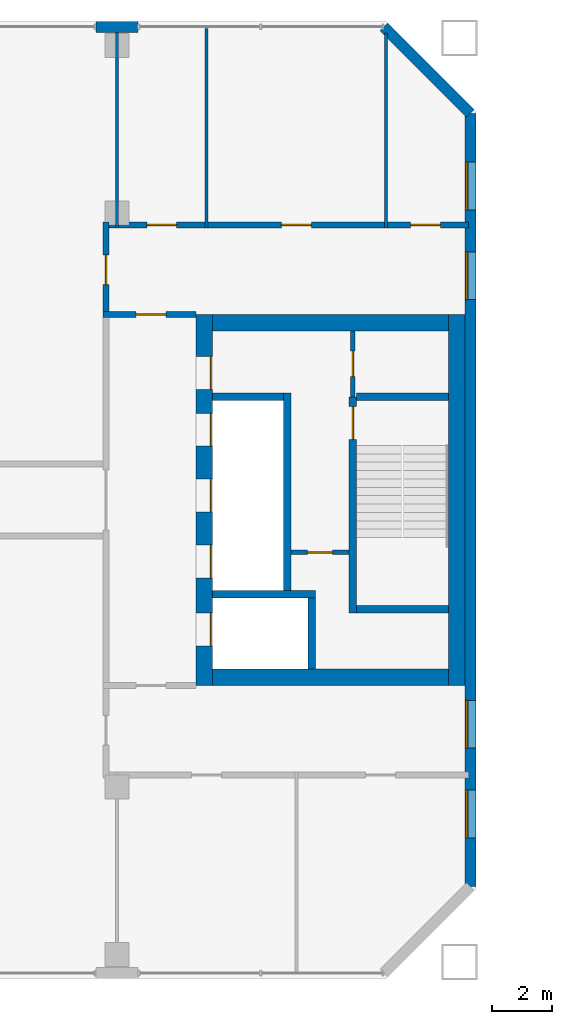
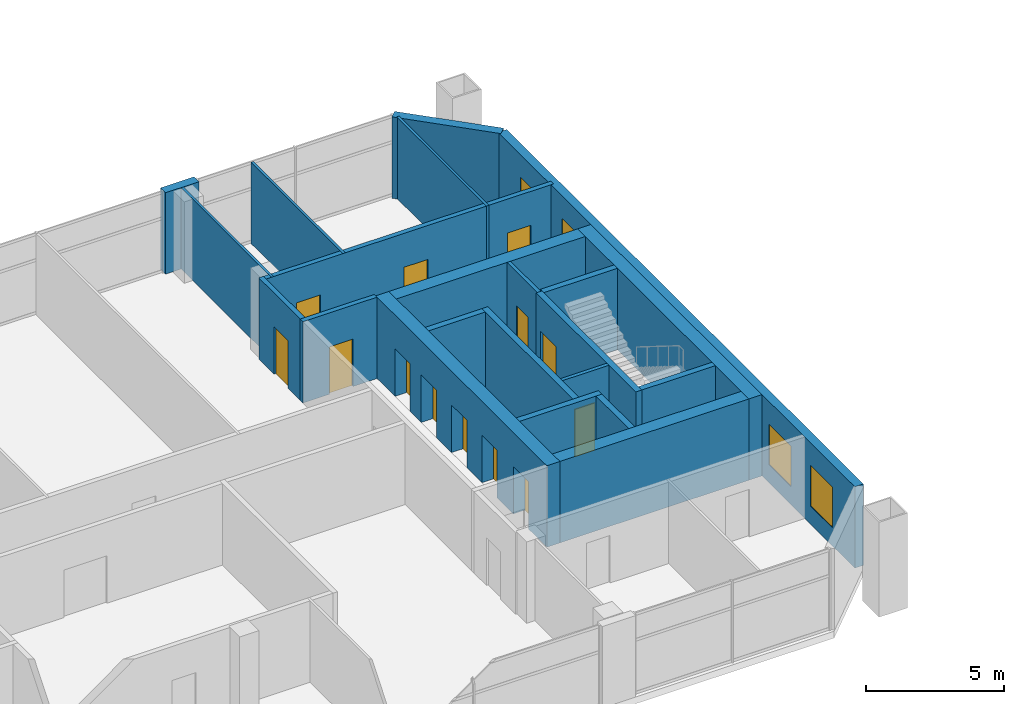
# One storey, part 11 of 17: 22 walls, 13 doors, 4 windows, 17 openings.
"""IFC4 building model written with IfcOpenShell, lengths in metres."""

import ifcopenshell
import ifcopenshell.guid

model = None  # the IFC model being written
_history = None  # IfcOwnerHistory: only IFC2X3 demands one
_inside = {}  # id of a spatial element -> (the spatial element, [elements in it])
_under = {}  # id of a project, library or spatial element -> (it, [spatial elements below it])
_declared = {}  # id of a project -> (the project, [libraries it declares])
_typed = {}  # id of a type object -> (the type object, [elements of that type])
_made_of = {}  # id of a material, layer set ... -> (it, [elements and type objects made of it])


def new_model(schema):
    """Start an empty IFC model of exactly this schema.

    Asked for "IFC4X3", IfcOpenShell would pick the latest addendum, in which some entities
    have other attributes; the version numbers below select the first issue.
    IFC2X3 requires an IfcOwnerHistory on every rooted entity: one is made here for all.
    """
    global model, _history
    if schema == "IFC4X3":
        model = ifcopenshell.file(schema_version=(4, 3, 0, 0))
    else:
        model = ifcopenshell.file(schema=schema)
    _inside.clear()
    _under.clear()
    _declared.clear()
    _typed.clear()
    _made_of.clear()
    _history = None
    if model.schema == "IFC2X3":
        org = make("IfcOrganization", Name="unknown")
        user = make(
            "IfcPersonAndOrganization",
            ThePerson=make("IfcPerson", FamilyName="unknown"),
            TheOrganization=org,
        )
        app = make(
            "IfcApplication",
            ApplicationDeveloper=org,
            Version="unknown",
            ApplicationFullName="unknown",
            ApplicationIdentifier="unknown",
        )
        _history = make(
            "IfcOwnerHistory",
            OwningUser=user,
            OwningApplication=app,
            ChangeAction="ADDED",
            CreationDate=0,
        )
    return model


def make(cls, **values):
    """One entity of the class cls with the attributes given. An attribute that is None is left unset."""
    return model.create_entity(
        cls, **{name: value for name, value in values.items() if value is not None}
    )


def rooted(cls, **values):
    """An entity with a GlobalId (a new one), such as an element, a storey or a relation."""
    return make(cls, GlobalId=ifcopenshell.guid.new(), OwnerHistory=_history, **values)


def si_unit(unit_type, name, prefix=None):
    """IfcSIUnit, for example si_unit("LENGTHUNIT", "METRE", prefix="MILLI")."""
    return make("IfcSIUnit", UnitType=unit_type, Prefix=prefix, Name=name)


def assignment(units):
    """IfcUnitAssignment: the units of a project."""
    return None if units is None else make("IfcUnitAssignment", Units=units)


def point(xyz):
    """IfcCartesianPoint."""
    return None if xyz is None else make("IfcCartesianPoint", Coordinates=xyz)


def direction(xyz):
    """IfcDirection."""
    return None if xyz is None else make("IfcDirection", DirectionRatios=xyz)


def frame(location, z_axis=None, x_axis=None):
    """IfcAxis2Placement3D, a coordinate frame: its origin and axes. An axis left out is left unset."""
    return make(
        "IfcAxis2Placement3D",
        Location=point(location),
        Axis=direction(z_axis),
        RefDirection=direction(x_axis),
    )


def frame_2d(location, x_axis=None):
    """IfcAxis2Placement2D, a coordinate frame in the plane: its origin and x axis."""
    return make(
        "IfcAxis2Placement2D", Location=point(location), RefDirection=direction(x_axis)
    )


def origin():
    """The frame at (0, 0, 0) with its axes left unset."""
    return frame((0.0, 0.0, 0.0))


def place(relative_to, where):
    """IfcLocalPlacement: puts the frame where relative to a parent placement (None: the world)."""
    return make(
        "IfcLocalPlacement", PlacementRelTo=relative_to, RelativePlacement=where
    )


def context(
    kind, dimensions, precision=None, world=None, true_north=None, identifier=None
):
    """IfcGeometricRepresentationContext, for example the 3D "Model" context."""
    return make(
        "IfcGeometricRepresentationContext",
        ContextIdentifier=identifier,
        ContextType=kind,
        CoordinateSpaceDimension=dimensions,
        Precision=precision,
        WorldCoordinateSystem=world,
        TrueNorth=true_north,
    )


def subcontext(parent, identifier, kind, view, scale=None):
    """IfcGeometricRepresentationSubContext, for example "Body" below "Model"."""
    return make(
        "IfcGeometricRepresentationSubContext",
        ContextIdentifier=identifier,
        ContextType=kind,
        ParentContext=parent,
        TargetScale=scale,
        TargetView=view,
    )


def project(units=None, contexts=None):
    """IfcProject with its units and contexts."""
    return rooted(
        "IfcProject",
        Name="project",
        RepresentationContexts=contexts,
        UnitsInContext=assignment(units),
    )


def spatial(cls, under=None, at=None, **own):
    """A site, building, storey or space (cls), placed at a placement, below another one or the project."""
    s = rooted(cls, ObjectPlacement=at, **own)
    if under is not None:
        _under.setdefault(under.id(), (under, []))[1].append(s)
    return s


def profile(cls, at=None, kind="AREA", **sizes):
    """A parametric profile (cls). Its sizes go by their IFC names, for example OverallWidth=200.0."""
    return make(cls, ProfileType=kind, Position=at, **sizes)


def rectangle(**sizes):
    """IfcRectangleProfileDef."""
    return profile("IfcRectangleProfileDef", **sizes)


def extrude(swept, where, along, depth):
    """IfcExtrudedAreaSolid: the profile swept, set in the frame where, extruded along a direction by depth."""
    return make(
        "IfcExtrudedAreaSolid",
        SweptArea=swept,
        Position=where,
        ExtrudedDirection=direction(along),
        Depth=depth,
    )


def shape(context_of_items, identifier, shape_type, items):
    """IfcShapeRepresentation: the items that make up one representation, for example the "Body"."""
    return make(
        "IfcShapeRepresentation",
        ContextOfItems=context_of_items,
        RepresentationIdentifier=identifier,
        RepresentationType=shape_type,
        Items=items,
    )


def material(Name=None, Category=None):
    """IfcMaterial."""
    return make("IfcMaterial", Name=Name, Category=Category)


def layer(
    of_material, thickness, ventilated=None, Name=None, Category=None, Priority=None
):
    """IfcMaterialLayer: one layer of a wall or slab, of a material (None: an air gap)."""
    return make(
        "IfcMaterialLayer",
        Material=of_material,
        LayerThickness=thickness,
        IsVentilated=ventilated,
        Name=Name,
        Category=Category,
        Priority=Priority,
    )


def layer_set(layers, Name=None):
    """IfcMaterialLayerSet."""
    return make("IfcMaterialLayerSet", MaterialLayers=layers, LayerSetName=Name)


def made_of(thing, what):
    """Note that an element or type object is made of a material, layer set ...; save() writes the relation."""
    if what is not None:
        _made_of.setdefault(what.id(), (what, []))[1].append(thing)
    return thing


def type_object(cls, material=None, **own):
    """A type object (cls), such as IfcWallType, which elements share."""
    return made_of(rooted(cls, **own), material)


def element(
    cls,
    number,
    at=None,
    inside=None,
    cuts=None,
    type_object=None,
    material=None,
    context=None,
    identifier="Body",
    shape_type=None,
    held_by="IfcProductDefinitionShape",
    body=None,
    shapes=None,
    **own,
):
    """One element of the class cls, such as IfcWall. Its Tag is "e" and its number.

    at: its placement. inside: the storey or other place that contains it. cuts: it is an
    opening in that element (IfcRelVoidsElement). A single representation is given by context,
    identifier, shape_type and body (its items); several are given by shapes. held_by: the class
    of the entity that holds the representations. save() writes the other relations.
    """
    e = rooted(cls, Tag="e%d" % number, ObjectPlacement=at, **own)
    if body is not None:
        shapes = [shape(context, identifier, shape_type, body)]
    if shapes is not None:
        e.Representation = make(held_by, Representations=shapes)
    if inside is not None:
        _inside.setdefault(inside.id(), (inside, []))[1].append(e)
    if cuts is not None:
        rooted(
            "IfcRelVoidsElement", RelatingBuildingElement=cuts, RelatedOpeningElement=e
        )
    if type_object is not None:
        _typed.setdefault(type_object.id(), (type_object, []))[1].append(e)
    return made_of(e, material)


def fill(opening, filler):
    """IfcRelFillsElement: the door or window that sits in an opening."""
    return rooted(
        "IfcRelFillsElement",
        RelatingOpeningElement=opening,
        RelatedBuildingElement=filler,
    )


def aggregate(whole, parts):
    """IfcRelAggregates: a whole, such as a stair, and the parts it consists of."""
    return rooted("IfcRelAggregates", RelatingObject=whole, RelatedObjects=parts)


def save(model, path):
    """Write the relations noted so far, then the file.

    IfcRelAggregates (storeys below a building ...), IfcRelContainedInSpatialStructure (elements
    in a storey), IfcRelDefinesByType, IfcRelAssociatesMaterial and IfcRelDeclares: one each for
    every whole, place, type object, material and project.
    """
    for whole, parts in _under.values():
        aggregate(whole, parts)
    for where, things in _inside.values():
        rooted(
            "IfcRelContainedInSpatialStructure",
            RelatedElements=things,
            RelatingStructure=where,
        )
    for kind, things in _typed.values():
        rooted("IfcRelDefinesByType", RelatedObjects=things, RelatingType=kind)
    for what, things in _made_of.values():
        rooted("IfcRelAssociatesMaterial", RelatedObjects=things, RelatingMaterial=what)
    for by, libraries in _declared.values():
        rooted("IfcRelDeclares", RelatingContext=by, RelatedDefinitions=libraries)
    model.write(path)


model = new_model("IFC4")

# Units and contexts
model_context = context("Model", 3, precision=1e-05, world=origin(), true_north=direction((0.0, 1.0)))
body_context = subcontext(model_context, "Body", "Model", "MODEL_VIEW")
ifc_project = project(units=[si_unit("LENGTHUNIT", "METRE"), si_unit("AREAUNIT", "SQUARE_METRE"), si_unit("VOLUMEUNIT", "CUBIC_METRE"), si_unit("PLANEANGLEUNIT", "RADIAN"), si_unit("MASSUNIT", "GRAM", prefix="KILO")], contexts=[model_context])

# Site, building, storey
site_placement = place(None, origin())
site = spatial("IfcSite", under=ifc_project, at=site_placement, CompositionType="ELEMENT")
building_placement = place(site_placement, origin())
building = spatial("IfcBuilding", under=site, at=building_placement, Name="Tuart Gate Housing", CompositionType="ELEMENT")
storey_placement = place(building_placement, frame((0.0, 0.0, 119.5)))
storey = spatial("IfcBuildingStorey", under=building, at=storey_placement, Name="L33", CompositionType="ELEMENT", Elevation=119.5)

# Wall, openings, windows
ifc_material_1 = material(Name="Brick", Category="masonry")
ifc_layer_1 = layer(ifc_material_1, 0.360107421875)
ifc_layer_set_1 = layer_set([ifc_layer_1], Name="Brick pier and spandrel wall 360")
wall_type_1 = type_object("IfcWallType", Name="Brick pier and spandrel wall 360", PredefinedType="STANDARD", material=ifc_layer_set_1)
wall_1_placement = place(storey_placement, frame((75.820068359375, 57.07470703125, 0.0), z_axis=(0.0, 0.0, 1.0), x_axis=(0.0, 1.0, 0.0)))
wall_1 = element("IfcWall", 1, at=wall_1_placement, inside=storey, type_object=wall_type_1, Name="External wall A-E L33", PredefinedType="STANDARD", context=body_context, shape_type="SweptSolid", body=[
    extrude(rectangle(XDim=25.850830078125, YDim=0.360107421875, at=frame_2d((12.92529296875, 0.0))), origin(), (0.0, 0.0, 1.0), 3.60009765625),
])
opening_1_placement = place(wall_1_placement, frame((1.62548828125, 0.0, 0.800048828125)))
opening_1 = element("IfcOpeningElement", 2, at=opening_1_placement, cuts=wall_1, Name="Opening W1", PredefinedType="OPENING", context=body_context, shape_type="SweptSolid", body=[
    extrude(rectangle(XDim=1.60009765625, YDim=1.800048828125, at=frame_2d((0.800048828125, 0.89990234375))), frame((0.0, 0.18994140625, 0.0), z_axis=(0.0, -1.0, 0.0), x_axis=(1.0, 0.0, 0.0)), (0.0, 0.0, 1.0), 0.380126953125),
])
opening_2_placement = place(wall_1_placement, frame((4.62548828125, 0.0, 0.800048828125)))
opening_2 = element("IfcOpeningElement", 3, at=opening_2_placement, cuts=wall_1, Name="Opening W1", PredefinedType="OPENING", context=body_context, shape_type="SweptSolid", body=[
    extrude(rectangle(XDim=1.60009765625, YDim=1.800048828125, at=frame_2d((0.800048828125, 0.89990234375))), frame((0.0, 0.18994140625, 0.0), z_axis=(0.0, -1.0, 0.0), x_axis=(1.0, 0.0, 0.0)), (0.0, 0.0, 1.0), 0.380126953125),
])
opening_3_placement = place(wall_1_placement, frame((19.62548828125, 0.0, 0.800048828125)))
opening_3 = element("IfcOpeningElement", 4, at=opening_3_placement, cuts=wall_1, Name="Opening W1", PredefinedType="OPENING", context=body_context, shape_type="SweptSolid", body=[
    extrude(rectangle(XDim=1.60009765625, YDim=1.800048828125, at=frame_2d((0.800048828125, 0.89990234375))), frame((0.0, 0.18994140625, 0.0), z_axis=(0.0, -1.0, 0.0), x_axis=(1.0, 0.0, 0.0)), (0.0, 0.0, 1.0), 0.380126953125),
])
opening_4_placement = place(wall_1_placement, frame((22.62548828125, 0.0, 0.800048828125)))
opening_4 = element("IfcOpeningElement", 5, at=opening_4_placement, cuts=wall_1, Name="Opening W1", PredefinedType="OPENING", context=body_context, shape_type="SweptSolid", body=[
    extrude(rectangle(XDim=1.60009765625, YDim=1.800048828125, at=frame_2d((0.800048828125, 0.89990234375))), frame((0.0, 0.18994140625, 0.0), z_axis=(0.0, -1.0, 0.0), x_axis=(1.0, 0.0, 0.0)), (0.0, 0.0, 1.0), 0.380126953125),
])
ifc_material_2 = material(Name="Aluminium frame with clear glass", Category="aluminium")
window_type = type_object("IfcWindowType", Name="Punched window 1600 x 1800", PartitioningType="SINGLE_PANEL", PredefinedType="WINDOW", material=ifc_material_2)
window_1_placement = place(opening_1_placement, origin())
window_1 = element("IfcWindow", 6, at=window_1_placement, inside=storey, type_object=window_type, Name="Window W1", OverallHeight=1.800048828125, OverallWidth=1.60009765625, PartitioningType="SINGLE_PANEL", PredefinedType="WINDOW", context=body_context, shape_type="SweptSolid", body=[
    extrude(rectangle(XDim=1.60009765625, YDim=1.800048828125, at=frame_2d((0.800048828125, 0.89990234375))), frame((0.0, 0.150146484375, 0.0), z_axis=(0.0, -1.0, 0.0), x_axis=(1.0, 0.0, 0.0)), (0.0, 0.0, 1.0), 0.06005859375),
])
fill(opening_1, window_1)
window_2_placement = place(opening_2_placement, origin())
window_2 = element("IfcWindow", 7, at=window_2_placement, inside=storey, type_object=window_type, Name="Window W1", OverallHeight=1.800048828125, OverallWidth=1.60009765625, PartitioningType="SINGLE_PANEL", PredefinedType="WINDOW", context=body_context, shape_type="SweptSolid", body=[
    extrude(rectangle(XDim=1.60009765625, YDim=1.800048828125, at=frame_2d((0.800048828125, 0.89990234375))), frame((0.0, 0.150146484375, 0.0), z_axis=(0.0, -1.0, 0.0), x_axis=(1.0, 0.0, 0.0)), (0.0, 0.0, 1.0), 0.06005859375),
])
fill(opening_2, window_2)
window_3_placement = place(opening_3_placement, origin())
window_3 = element("IfcWindow", 8, at=window_3_placement, inside=storey, type_object=window_type, Name="Window W1", OverallHeight=1.800048828125, OverallWidth=1.60009765625, PartitioningType="SINGLE_PANEL", PredefinedType="WINDOW", context=body_context, shape_type="SweptSolid", body=[
    extrude(rectangle(XDim=1.60009765625, YDim=1.800048828125, at=frame_2d((0.800048828125, 0.89990234375))), frame((0.0, 0.150146484375, 0.0), z_axis=(0.0, -1.0, 0.0), x_axis=(1.0, 0.0, 0.0)), (0.0, 0.0, 1.0), 0.06005859375),
])
fill(opening_3, window_3)
window_4_placement = place(opening_4_placement, origin())
window_4 = element("IfcWindow", 9, at=window_4_placement, inside=storey, type_object=window_type, Name="Window W1", OverallHeight=1.800048828125, OverallWidth=1.60009765625, PartitioningType="SINGLE_PANEL", PredefinedType="WINDOW", context=body_context, shape_type="SweptSolid", body=[
    extrude(rectangle(XDim=1.60009765625, YDim=1.800048828125, at=frame_2d((0.800048828125, 0.89990234375))), frame((0.0, 0.150146484375, 0.0), z_axis=(0.0, -1.0, 0.0), x_axis=(1.0, 0.0, 0.0)), (0.0, 0.0, 1.0), 0.06005859375),
])
fill(opening_4, window_4)

# Walls
wall_2_placement = place(storey_placement, frame((75.820068359375, 82.92529296875, 0.0), z_axis=(0.0, 0.0, 1.0), x_axis=(-0.707106781187, 0.707106781187, 0.0)))
element("IfcWall", 10, at=wall_2_placement, inside=storey, type_object=wall_type_1, Name="External wall A-NE L33", PredefinedType="STANDARD", context=body_context, shape_type="SweptSolid", body=[
    extrude(rectangle(XDim=4.09375, YDim=0.360107421875, at=frame_2d((2.046875, 0.0))), origin(), (0.0, 0.0, 1.0), 3.60009765625),
])
wall_3_placement = place(storey_placement, frame((64.699951171875, 85.820068359375, 0.0), z_axis=(0.0, 0.0, 1.0), x_axis=(-1.0, 0.0, 0.0)))
element("IfcWall", 11, at=wall_3_placement, inside=storey, type_object=wall_type_1, Name="External wall A-N L33", PredefinedType="STANDARD", context=body_context, shape_type="SweptSolid", body=[
    extrude(rectangle(XDim=1.39990234375, YDim=0.360107421875, at=frame_2d((0.699951171875, 0.0))), origin(), (0.0, 0.0, 1.0), 3.60009765625),
])

# Wall, opening, door
ifc_material_3 = material(Name="Plasterboard partition")
ifc_layer_2 = layer(ifc_material_3, 0.14990234375)
ifc_layer_set_2 = layer_set([ifc_layer_2], Name="Core partition 150")
wall_type_2 = type_object("IfcWallType", Name="Core partition 150", PredefinedType="PARTITIONING", material=ifc_layer_set_2)
wall_4_placement = place(storey_placement, frame((69.81494140625, 68.25, 0.0), z_axis=(0.0, 0.0, 1.0), x_axis=(1.0, 0.0, 0.0)))
wall_4 = element("IfcWall", 12, at=wall_4_placement, inside=storey, type_object=wall_type_2, Name="Core partition AG.3", PredefinedType="PARTITIONING", context=body_context, shape_type="SweptSolid", body=[
    extrude(rectangle(XDim=1.949951171875, YDim=0.14990234375, at=frame_2d((0.97509765625, 0.0))), origin(), (0.0, 0.0, 1.0), 3.60009765625),
])
opening_5_placement = place(wall_4_placement, frame((0.550048828125, 0.0, 0.0)))
opening_5 = element("IfcOpeningElement", 13, at=opening_5_placement, cuts=wall_4, Name="Opening D162", PredefinedType="OPENING", context=body_context, shape_type="SweptSolid", body=[
    extrude(rectangle(XDim=0.85009765625, YDim=2.10009765625, at=frame_2d((0.425048828125, 1.050048828125))), frame((0.0, 0.0849609375, 0.0), z_axis=(0.0, -1.0, 0.0), x_axis=(1.0, 0.0, 0.0)), (0.0, 0.0, 1.0), 0.169921875),
])
ifc_material_4 = material(Name="Steel fire door", Category="steel")
door_type_1 = type_object("IfcDoorType", Name="Riser door 850 x 2100 RH", OperationType="SINGLE_SWING_RIGHT", PredefinedType="DOOR", material=ifc_material_4)
door_1_placement = place(opening_5_placement, frame((0.85009765625, 0.0, 0.0), z_axis=(0.0, 0.0, 1.0), x_axis=(-1.0, 0.0, 0.0)))
door_1 = element("IfcDoor", 14, at=door_1_placement, inside=storey, type_object=door_type_1, Name="Service room door AG.E1", OperationType="SINGLE_SWING_RIGHT", OverallHeight=2.10009765625, OverallWidth=0.85009765625, PredefinedType="DOOR", context=body_context, shape_type="SweptSolid", body=[
    extrude(rectangle(XDim=0.85009765625, YDim=2.10009765625, at=frame_2d((0.425048828125, 1.050048828125))), frame((0.0, 0.025146484375, 0.0), z_axis=(0.0, -1.0, 0.0), x_axis=(1.0, 0.0, 0.0)), (0.0, 0.0, 1.0), 0.050048828125),
])
fill(opening_5, door_1)

wall_5_placement = place(storey_placement, frame((71.889892578125, 73.449951171875, 0.0), z_axis=(0.0, 0.0, 1.0), x_axis=(0.0, 1.0, 0.0)))
wall_5 = element("IfcWall", 15, at=wall_5_placement, inside=storey, type_object=wall_type_2, Name="Core partition AG.9", PredefinedType="PARTITIONING", context=body_context, shape_type="SweptSolid", body=[
    extrude(rectangle(XDim=2.199951171875, YDim=0.14990234375, at=frame_2d((1.10009765625, 0.0))), origin(), (0.0, 0.0, 1.0), 3.60009765625),
])
opening_6_placement = place(wall_5_placement, frame((0.675048828125, 0.0, 0.0)))
opening_6 = element("IfcOpeningElement", 16, at=opening_6_placement, cuts=wall_5, Name="Opening D153", PredefinedType="OPENING", context=body_context, shape_type="SweptSolid", body=[
    extrude(rectangle(XDim=0.85009765625, YDim=2.10009765625, at=frame_2d((0.425048828125, 1.050048828125))), frame((0.0, 0.0849609375, 0.0), z_axis=(0.0, -1.0, 0.0), x_axis=(1.0, 0.0, 0.0)), (0.0, 0.0, 1.0), 0.169921875),
])
ifc_material_5 = material(Name="Steel fire door", Category="steel")
door_type_2 = type_object("IfcDoorType", Name="Service door 850 x 2100 RH", OperationType="SINGLE_SWING_RIGHT", PredefinedType="DOOR", material=ifc_material_5)
door_2_placement = place(opening_6_placement, frame((0.85009765625, 0.0, 0.0), z_axis=(0.0, 0.0, 1.0), x_axis=(-1.0, 0.0, 0.0)))
door_2 = element("IfcDoor", 17, at=door_2_placement, inside=storey, type_object=door_type_2, Name="Service room door AG.ST", OperationType="SINGLE_SWING_RIGHT", OverallHeight=2.10009765625, OverallWidth=0.85009765625, PredefinedType="DOOR", context=body_context, shape_type="SweptSolid", body=[
    extrude(rectangle(XDim=0.85009765625, YDim=2.10009765625, at=frame_2d((0.425048828125, 1.050048828125))), frame((0.0, 0.025146484375, 0.0), z_axis=(0.0, -1.0, 0.0), x_axis=(1.0, 0.0, 0.0)), (0.0, 0.0, 1.0), 0.050048828125),
])
fill(opening_6, door_2)

# Walls
ifc_material_6 = material(Name="Concrete C50", Category="concrete")
ifc_layer_3 = layer(ifc_material_6, 0.25)
ifc_layer_set_3 = layer_set([ifc_layer_3], Name="Core wall 250 C50")
wall_type_3 = type_object("IfcWallType", Name="Core wall 250 C50", PredefinedType="SHEAR", material=ifc_layer_set_3)
wall_6_placement = place(storey_placement, frame((72.014892578125, 66.35009765625, 0.0), z_axis=(0.0, 0.0, 1.0), x_axis=(1.0, 0.0, 0.0)))
element("IfcWall", 18, at=wall_6_placement, inside=storey, type_object=wall_type_3, Name="Core wall AG.1", PredefinedType="SHEAR", context=body_context, shape_type="SweptSolid", body=[
    extrude(rectangle(XDim=3.0751953125, YDim=0.25, at=frame_2d((1.53759765625, 0.0))), origin(), (0.0, 0.0, 1.0), 3.60009765625),
])
wall_7_placement = place(storey_placement, frame((67.18994140625, 66.85009765625, 0.0), z_axis=(0.0, 0.0, 1.0), x_axis=(1.0, 0.0, 0.0)))
element("IfcWall", 19, at=wall_7_placement, inside=storey, type_object=wall_type_3, Name="Core wall AG.2", PredefinedType="SHEAR", context=body_context, shape_type="SweptSolid", body=[
    extrude(rectangle(XDim=3.445068359375, YDim=0.25, at=frame_2d((1.72265625, 0.0))), origin(), (0.0, 0.0, 1.0), 3.60009765625),
])
wall_8_placement = place(storey_placement, frame((67.18994140625, 73.449951171875, 0.0), z_axis=(0.0, 0.0, 1.0), x_axis=(1.0, 0.0, 0.0)))
element("IfcWall", 20, at=wall_8_placement, inside=storey, type_object=wall_type_3, Name="Core wall AG.4", PredefinedType="SHEAR", context=body_context, shape_type="SweptSolid", body=[
    extrude(rectangle(XDim=2.375, YDim=0.25, at=frame_2d((1.1875, 0.0))), origin(), (0.0, 0.0, 1.0), 3.60009765625),
])
wall_9_placement = place(storey_placement, frame((72.014892578125, 73.449951171875, 0.0), z_axis=(0.0, 0.0, 1.0), x_axis=(1.0, 0.0, 0.0)))
element("IfcWall", 21, at=wall_9_placement, inside=storey, type_object=wall_type_3, Name="Core wall AG.5", PredefinedType="SHEAR", context=body_context, shape_type="SweptSolid", body=[
    extrude(rectangle(XDim=3.0751953125, YDim=0.25, at=frame_2d((1.53759765625, 0.0))), origin(), (0.0, 0.0, 1.0), 3.60009765625),
])
wall_10_placement = place(storey_placement, frame((69.68994140625, 66.97509765625, 0.0), z_axis=(0.0, 0.0, 1.0), x_axis=(0.0, 1.0, 0.0)))
element("IfcWall", 22, at=wall_10_placement, inside=storey, type_object=wall_type_3, Name="Core wall AG.6", PredefinedType="SHEAR", context=body_context, shape_type="SweptSolid", body=[
    extrude(rectangle(XDim=6.599853515625, YDim=0.25, at=frame_2d((3.2998046875, 0.0))), origin(), (0.0, 0.0, 1.0), 3.60009765625),
])
wall_11_placement = place(storey_placement, frame((70.510009765625, 64.35009765625, 0.0), z_axis=(0.0, 0.0, 1.0), x_axis=(0.0, 1.0, 0.0)))
element("IfcWall", 23, at=wall_11_placement, inside=storey, type_object=wall_type_3, Name="Core wall AG.7", PredefinedType="SHEAR", context=body_context, shape_type="SweptSolid", body=[
    extrude(rectangle(XDim=2.375, YDim=0.25, at=frame_2d((1.1875, 0.0))), origin(), (0.0, 0.0, 1.0), 3.60009765625),
])

# Wall, opening, door
wall_12_placement = place(storey_placement, frame((71.889892578125, 66.22509765625, 0.0), z_axis=(0.0, 0.0, 1.0), x_axis=(0.0, 1.0, 0.0)))
wall_12 = element("IfcWall", 24, at=wall_12_placement, inside=storey, type_object=wall_type_3, Name="Core wall AG.8", PredefinedType="SHEAR", context=body_context, shape_type="SweptSolid", body=[
    extrude(rectangle(XDim=7.224853515625, YDim=0.25, at=frame_2d((3.6123046875, 0.0))), origin(), (0.0, 0.0, 1.0), 3.60009765625),
])
opening_7_placement = place(wall_12_placement, frame((5.800048828125, 0.0, 0.0)))
opening_7 = element("IfcOpeningElement", 25, at=opening_7_placement, cuts=wall_12, Name="Opening D160", PredefinedType="OPENING", context=body_context, shape_type="SweptSolid", body=[
    extrude(rectangle(XDim=1.10009765625, YDim=2.10009765625, at=frame_2d((0.550048828125, 1.050048828125))), frame((0.0, 0.135009765625, 0.0), z_axis=(0.0, -1.0, 0.0), x_axis=(1.0, 0.0, 0.0)), (0.0, 0.0, 1.0), 0.27001953125),
])
ifc_material_7 = material(Name="Steel fire door", Category="steel")
door_type_3 = type_object("IfcDoorType", Name="Stair door 1100 x 2100", OperationType="SINGLE_SWING_LEFT", PredefinedType="DOOR", material=ifc_material_7)
door_3_placement = place(opening_7_placement, frame((1.10009765625, 0.0, 0.0), z_axis=(0.0, 0.0, 1.0), x_axis=(-1.0, 0.0, 0.0)))
door_3 = element("IfcDoor", 26, at=door_3_placement, inside=storey, type_object=door_type_3, Name="Stair door AG.SD", OperationType="SINGLE_SWING_LEFT", OverallHeight=2.10009765625, OverallWidth=1.10009765625, PredefinedType="DOOR", context=body_context, shape_type="SweptSolid", body=[
    extrude(rectangle(XDim=1.10009765625, YDim=2.10009765625, at=frame_2d((0.550048828125, 1.050048828125))), frame((0.0, 0.025146484375, 0.0), z_axis=(0.0, -1.0, 0.0), x_axis=(1.0, 0.0, 0.0)), (0.0, 0.0, 1.0), 0.050048828125),
])
fill(opening_7, door_3)

# Wall, openings, doors
ifc_material_8 = material(Name="Concrete C50", Category="concrete")
ifc_layer_4 = layer(ifc_material_8, 0.550048828125)
ifc_layer_set_4 = layer_set([ifc_layer_4], Name="Core wall 550 C50")
wall_type_4 = type_object("IfcWallType", Name="Core wall 550 C50", PredefinedType="SHEAR", material=ifc_layer_set_4)
wall_13_placement = place(storey_placement, frame((66.9150390625, 63.800048828125, 0.0), z_axis=(0.0, 0.0, 1.0), x_axis=(0.0, 1.0, 0.0)))
wall_13 = element("IfcWall", 27, at=wall_13_placement, inside=storey, type_object=wall_type_4, Name="Core wall AG front", PredefinedType="SHEAR", context=body_context, shape_type="SweptSolid", body=[
    extrude(rectangle(XDim=12.39990234375, YDim=0.550048828125, at=frame_2d((6.199951171875, 0.0))), origin(), (0.0, 0.0, 1.0), 3.60009765625),
])
opening_8_placement = place(wall_13_placement, frame((1.324951171875, 0.0, 0.0)))
opening_8 = element("IfcOpeningElement", 28, at=opening_8_placement, cuts=wall_13, Name="Opening LD-FA1", PredefinedType="OPENING", context=body_context, shape_type="SweptSolid", body=[
    extrude(rectangle(XDim=1.10009765625, YDim=2.10009765625, at=frame_2d((0.550048828125, 1.050048828125))), frame((0.0, 0.284912109375, 0.0), z_axis=(0.0, -1.0, 0.0), x_axis=(1.0, 0.0, 0.0)), (0.0, 0.0, 1.0), 0.570068359375),
])
opening_9_placement = place(wall_13_placement, frame((3.60009765625, 0.0, 0.0)))
opening_9 = element("IfcOpeningElement", 29, at=opening_9_placement, cuts=wall_13, Name="Opening LD-LA1", PredefinedType="OPENING", context=body_context, shape_type="SweptSolid", body=[
    extrude(rectangle(XDim=1.10009765625, YDim=2.10009765625, at=frame_2d((0.550048828125, 1.050048828125))), frame((0.0, 0.284912109375, 0.0), z_axis=(0.0, -1.0, 0.0), x_axis=(1.0, 0.0, 0.0)), (0.0, 0.0, 1.0), 0.570068359375),
])
opening_10_placement = place(wall_13_placement, frame((5.800048828125, 0.0, 0.0)))
opening_10 = element("IfcOpeningElement", 30, at=opening_10_placement, cuts=wall_13, Name="Opening LD-LA2", PredefinedType="OPENING", context=body_context, shape_type="SweptSolid", body=[
    extrude(rectangle(XDim=1.10009765625, YDim=2.10009765625, at=frame_2d((0.550048828125, 1.050048828125))), frame((0.0, 0.284912109375, 0.0), z_axis=(0.0, -1.0, 0.0), x_axis=(1.0, 0.0, 0.0)), (0.0, 0.0, 1.0), 0.570068359375),
])
opening_11_placement = place(wall_13_placement, frame((8.0, 0.0, 0.0)))
opening_11 = element("IfcOpeningElement", 31, at=opening_11_placement, cuts=wall_13, Name="Opening LD-LA3", PredefinedType="OPENING", context=body_context, shape_type="SweptSolid", body=[
    extrude(rectangle(XDim=1.10009765625, YDim=2.10009765625, at=frame_2d((0.550048828125, 1.050048828125))), frame((0.0, 0.284912109375, 0.0), z_axis=(0.0, -1.0, 0.0), x_axis=(1.0, 0.0, 0.0)), (0.0, 0.0, 1.0), 0.570068359375),
])
opening_12_placement = place(wall_13_placement, frame((9.89990234375, 0.0, 0.0)))
opening_12 = element("IfcOpeningElement", 32, at=opening_12_placement, cuts=wall_13, Name="Opening D159", PredefinedType="OPENING", context=body_context, shape_type="SweptSolid", body=[
    extrude(rectangle(XDim=1.10009765625, YDim=2.10009765625, at=frame_2d((0.550048828125, 1.050048828125))), frame((0.0, 0.284912109375, 0.0), z_axis=(0.0, -1.0, 0.0), x_axis=(1.0, 0.0, 0.0)), (0.0, 0.0, 1.0), 0.570068359375),
])
ifc_material_9 = material(Name="Stainless steel", Category="steel")
door_type_4 = type_object("IfcDoorType", Name="Landing door 1100 x 2100", OperationType="DOUBLE_DOOR_SLIDING", PredefinedType="DOOR", material=ifc_material_9)
door_4_placement = place(opening_8_placement, origin())
door_4 = element("IfcDoor", 33, at=door_4_placement, inside=storey, type_object=door_type_4, Name="Lift landing door FA1", OperationType="DOUBLE_DOOR_SLIDING", OverallHeight=2.10009765625, OverallWidth=1.10009765625, PredefinedType="DOOR", context=body_context, shape_type="SweptSolid", body=[
    extrude(rectangle(XDim=1.10009765625, YDim=2.10009765625, at=frame_2d((0.550048828125, 1.050048828125))), frame((0.0, -0.2099609375, 0.0), z_axis=(0.0, -1.0, 0.0), x_axis=(1.0, 0.0, 0.0)), (0.0, 0.0, 1.0), 0.050048828125),
])
fill(opening_8, door_4)
door_5_placement = place(opening_9_placement, origin())
door_5 = element("IfcDoor", 34, at=door_5_placement, inside=storey, type_object=door_type_4, Name="Lift landing door LA1", OperationType="DOUBLE_DOOR_SLIDING", OverallHeight=2.10009765625, OverallWidth=1.10009765625, PredefinedType="DOOR", context=body_context, shape_type="SweptSolid", body=[
    extrude(rectangle(XDim=1.10009765625, YDim=2.10009765625, at=frame_2d((0.550048828125, 1.050048828125))), frame((0.0, -0.2099609375, 0.0), z_axis=(0.0, -1.0, 0.0), x_axis=(1.0, 0.0, 0.0)), (0.0, 0.0, 1.0), 0.050048828125),
])
fill(opening_9, door_5)
door_6_placement = place(opening_10_placement, origin())
door_6 = element("IfcDoor", 35, at=door_6_placement, inside=storey, type_object=door_type_4, Name="Lift landing door LA2", OperationType="DOUBLE_DOOR_SLIDING", OverallHeight=2.10009765625, OverallWidth=1.10009765625, PredefinedType="DOOR", context=body_context, shape_type="SweptSolid", body=[
    extrude(rectangle(XDim=1.10009765625, YDim=2.10009765625, at=frame_2d((0.550048828125, 1.050048828125))), frame((0.0, -0.2099609375, 0.0), z_axis=(0.0, -1.0, 0.0), x_axis=(1.0, 0.0, 0.0)), (0.0, 0.0, 1.0), 0.050048828125),
])
fill(opening_10, door_6)
door_7_placement = place(opening_11_placement, origin())
door_7 = element("IfcDoor", 36, at=door_7_placement, inside=storey, type_object=door_type_4, Name="Lift landing door LA3", OperationType="DOUBLE_DOOR_SLIDING", OverallHeight=2.10009765625, OverallWidth=1.10009765625, PredefinedType="DOOR", context=body_context, shape_type="SweptSolid", body=[
    extrude(rectangle(XDim=1.10009765625, YDim=2.10009765625, at=frame_2d((0.550048828125, 1.050048828125))), frame((0.0, -0.2099609375, 0.0), z_axis=(0.0, -1.0, 0.0), x_axis=(1.0, 0.0, 0.0)), (0.0, 0.0, 1.0), 0.050048828125),
])
fill(opening_11, door_7)
ifc_material_10 = material(Name="Steel fire door", Category="steel")
door_type_5 = type_object("IfcDoorType", Name="Lobby door 1100 x 2100 RH", OperationType="SINGLE_SWING_RIGHT", PredefinedType="DOOR", material=ifc_material_10)
door_8_placement = place(opening_12_placement, frame((1.10009765625, 0.0, 0.0), z_axis=(0.0, 0.0, 1.0), x_axis=(-1.0, 0.0, 0.0)))
door_8 = element("IfcDoor", 37, at=door_8_placement, inside=storey, type_object=door_type_5, Name="Lobby entry door AG.EN", OperationType="SINGLE_SWING_RIGHT", OverallHeight=2.10009765625, OverallWidth=1.10009765625, PredefinedType="DOOR", context=body_context, shape_type="SweptSolid", body=[
    extrude(rectangle(XDim=1.10009765625, YDim=2.10009765625, at=frame_2d((0.550048828125, 1.050048828125))), frame((0.0, 0.260009765625, 0.0), z_axis=(0.0, -1.0, 0.0), x_axis=(1.0, 0.0, 0.0)), (0.0, 0.0, 1.0), 0.050048828125),
])
fill(opening_12, door_8)

# Walls
wall_14_placement = place(storey_placement, frame((75.364990234375, 63.800048828125, 0.0), z_axis=(0.0, 0.0, 1.0), x_axis=(0.0, 1.0, 0.0)))
element("IfcWall", 38, at=wall_14_placement, inside=storey, type_object=wall_type_4, Name="Core wall AG back", PredefinedType="SHEAR", context=body_context, shape_type="SweptSolid", body=[
    extrude(rectangle(XDim=12.39990234375, YDim=0.550048828125, at=frame_2d((6.199951171875, 0.0))), origin(), (0.0, 0.0, 1.0), 3.60009765625),
])
for number, where, z_axis, x_axis, name in (
    (39, (67.18994140625, 64.074951171875, 0.0), (0.0, 0.0, 1.0), (1.0, 0.0, 0.0), "Core wall AG south"),
    (40, (67.18994140625, 75.925048828125, 0.0), (0.0, 0.0, 1.0), (1.0, 0.0, 0.0), "Core wall AG north"),
):
    element("IfcWall", number, at=place(storey_placement, frame(where, z_axis=z_axis, x_axis=x_axis)), inside=storey, type_object=wall_type_4, Name=name, PredefinedType="SHEAR", context=body_context, shape_type="SweptSolid", body=[
        extrude(rectangle(XDim=7.900146484375, YDim=0.550048828125, at=frame_2d((3.9501953125, 0.0))), origin(), (0.0, 0.0, 1.0), 3.60009765625),
    ])

# Wall, openings, doors
ifc_material_11 = material(Name="Concrete masonry 15 MPa", Category="masonry")
ifc_layer_5 = layer(ifc_material_11, 0.199951171875)
ifc_layer_set_5 = layer_set([ifc_layer_5], Name="Corridor wall masonry 200")
wall_type_5 = type_object("IfcWallType", Name="Corridor wall masonry 200", PredefinedType="PARTITIONING", material=ifc_layer_set_5)
wall_15_placement = place(storey_placement, frame((63.5400390625, 79.199951171875, 0.0), z_axis=(0.0, 0.0, 1.0), x_axis=(1.0, 0.0, 0.0)))
wall_15 = element("IfcWall", 41, at=wall_15_placement, inside=storey, type_object=wall_type_5, Name="Corridor wall masonry 200", PredefinedType="PARTITIONING", context=body_context, shape_type="SweptSolid", body=[
    extrude(rectangle(XDim=12.219970703125, YDim=0.199951171875, at=frame_2d((6.10986328125, 0.0))), origin(), (0.0, 0.0, 1.0), 3.60009765625),
])
opening_13_placement = place(wall_15_placement, frame((1.4599609375, 0.0, 0.0)))
opening_13 = element("IfcOpeningElement", 42, at=opening_13_placement, cuts=wall_15, Name="Opening D146", PredefinedType="OPENING", context=body_context, shape_type="SweptSolid", body=[
    extrude(rectangle(XDim=1.0, YDim=2.10009765625, at=frame_2d((0.5, 1.050048828125))), frame((0.0, 0.10986328125, 0.0), z_axis=(0.0, -1.0, 0.0), x_axis=(1.0, 0.0, 0.0)), (0.0, 0.0, 1.0), 0.219970703125),
])
opening_14_placement = place(wall_15_placement, frame((5.9599609375, 0.0, 0.0)))
opening_14 = element("IfcOpeningElement", 43, at=opening_14_placement, cuts=wall_15, Name="Opening D147", PredefinedType="OPENING", context=body_context, shape_type="SweptSolid", body=[
    extrude(rectangle(XDim=1.0, YDim=2.10009765625, at=frame_2d((0.5, 1.050048828125))), frame((0.0, 0.10986328125, 0.0), z_axis=(0.0, -1.0, 0.0), x_axis=(1.0, 0.0, 0.0)), (0.0, 0.0, 1.0), 0.219970703125),
])
opening_15_placement = place(wall_15_placement, frame((10.280029296875, 0.0, 0.0)))
opening_15 = element("IfcOpeningElement", 44, at=opening_15_placement, cuts=wall_15, Name="Opening D148", PredefinedType="OPENING", context=body_context, shape_type="SweptSolid", body=[
    extrude(rectangle(XDim=1.0, YDim=2.10009765625, at=frame_2d((0.5, 1.050048828125))), frame((0.0, 0.10986328125, 0.0), z_axis=(0.0, -1.0, 0.0), x_axis=(1.0, 0.0, 0.0)), (0.0, 0.0, 1.0), 0.219970703125),
])
ifc_material_12 = material(Name="Timber door leaf in steel frame", Category="steel")
door_type_6 = type_object("IfcDoorType", Name="Fire door 1000", OperationType="SINGLE_SWING_LEFT", PredefinedType="DOOR", material=ifc_material_12)
door_9_placement = place(opening_13_placement, origin())
door_9 = element("IfcDoor", 45, at=door_9_placement, inside=storey, type_object=door_type_6, Name="Fire door 1000", OperationType="SINGLE_SWING_LEFT", OverallHeight=2.10009765625, OverallWidth=1.0, PredefinedType="DOOR", context=body_context, shape_type="SweptSolid", body=[
    extrude(rectangle(XDim=1.0, YDim=2.10009765625, at=frame_2d((0.5, 1.050048828125))), frame((0.0, 0.02490234375, 0.0), z_axis=(0.0, -1.0, 0.0), x_axis=(1.0, 0.0, 0.0)), (0.0, 0.0, 1.0), 0.050048828125),
])
fill(opening_13, door_9)
door_10_placement = place(opening_14_placement, origin())
door_10 = element("IfcDoor", 46, at=door_10_placement, inside=storey, type_object=door_type_6, Name="Fire door 1000", OperationType="SINGLE_SWING_LEFT", OverallHeight=2.10009765625, OverallWidth=1.0, PredefinedType="DOOR", context=body_context, shape_type="SweptSolid", body=[
    extrude(rectangle(XDim=1.0, YDim=2.10009765625, at=frame_2d((0.5, 1.050048828125))), frame((0.0, 0.02490234375, 0.0), z_axis=(0.0, -1.0, 0.0), x_axis=(1.0, 0.0, 0.0)), (0.0, 0.0, 1.0), 0.050048828125),
])
fill(opening_14, door_10)
door_11_placement = place(opening_15_placement, origin())
door_11 = element("IfcDoor", 47, at=door_11_placement, inside=storey, type_object=door_type_6, Name="Fire door 1000", OperationType="SINGLE_SWING_LEFT", OverallHeight=2.10009765625, OverallWidth=1.0, PredefinedType="DOOR", context=body_context, shape_type="SweptSolid", body=[
    extrude(rectangle(XDim=1.0, YDim=2.10009765625, at=frame_2d((0.5, 1.050048828125))), frame((0.0, 0.02490234375, 0.0), z_axis=(0.0, -1.0, 0.0), x_axis=(1.0, 0.0, 0.0)), (0.0, 0.0, 1.0), 0.050048828125),
])
fill(opening_15, door_11)

# Wall, opening, door
wall_16_placement = place(storey_placement, frame((63.639892578125, 76.10009765625, 0.0), z_axis=(0.0, 0.0, 1.0), x_axis=(0.0, 1.0, 0.0)))
wall_16 = element("IfcWall", 48, at=wall_16_placement, inside=storey, type_object=wall_type_5, Name="Corridor wall masonry 200", PredefinedType="PARTITIONING", context=body_context, shape_type="SweptSolid", body=[
    extrude(rectangle(XDim=3.199951171875, YDim=0.199951171875, at=frame_2d((1.60009765625, 0.0))), origin(), (0.0, 0.0, 1.0), 3.60009765625),
])
opening_16_placement = place(wall_16_placement, frame((1.10009765625, 0.0, 0.0)))
opening_16 = element("IfcOpeningElement", 49, at=opening_16_placement, cuts=wall_16, Name="Opening D150", PredefinedType="OPENING", context=body_context, shape_type="SweptSolid", body=[
    extrude(rectangle(XDim=1.0, YDim=2.10009765625, at=frame_2d((0.5, 1.050048828125))), frame((0.0, 0.10986328125, 0.0), z_axis=(0.0, -1.0, 0.0), x_axis=(1.0, 0.0, 0.0)), (0.0, 0.0, 1.0), 0.219970703125),
])
door_12_placement = place(opening_16_placement, origin())
door_12 = element("IfcDoor", 50, at=door_12_placement, inside=storey, type_object=door_type_6, Name="Fire door 1000", OperationType="SINGLE_SWING_LEFT", OverallHeight=2.10009765625, OverallWidth=1.0, PredefinedType="DOOR", context=body_context, shape_type="SweptSolid", body=[
    extrude(rectangle(XDim=1.0, YDim=2.10009765625, at=frame_2d((0.5, 1.050048828125))), frame((0.0, 0.02490234375, 0.0), z_axis=(0.0, -1.0, 0.0), x_axis=(1.0, 0.0, 0.0)), (0.0, 0.0, 1.0), 0.050048828125),
])
fill(opening_16, door_12)

ifc_material_13 = material(Name="Concrete masonry 15 MPa", Category="masonry")
ifc_layer_6 = layer(ifc_material_13, 0.199951171875)
ifc_layer_set_6 = layer_set([ifc_layer_6], Name="Enclosure wall masonry 200")
wall_type_6 = type_object("IfcWallType", Name="Enclosure wall masonry 200", PredefinedType="PARTITIONING", material=ifc_layer_set_6)
wall_17_placement = place(storey_placement, frame((63.5400390625, 76.199951171875, 0.0), z_axis=(0.0, 0.0, 1.0), x_axis=(1.0, 0.0, 0.0)))
wall_17 = element("IfcWall", 51, at=wall_17_placement, inside=storey, type_object=wall_type_6, Name="Enclosure wall masonry 200", PredefinedType="PARTITIONING", context=body_context, shape_type="SweptSolid", body=[
    extrude(rectangle(XDim=3.099853515625, YDim=0.199951171875, at=frame_2d((1.5498046875, 0.0))), origin(), (0.0, 0.0, 1.0), 3.60009765625),
])
opening_17_placement = place(wall_17_placement, frame((1.10009765625, 0.0, 0.0)))
opening_17 = element("IfcOpeningElement", 52, at=opening_17_placement, cuts=wall_17, Name="Opening D152", PredefinedType="OPENING", context=body_context, shape_type="SweptSolid", body=[
    extrude(rectangle(XDim=1.0, YDim=2.10009765625, at=frame_2d((0.5, 1.050048828125))), frame((0.0, 0.10986328125, 0.0), z_axis=(0.0, -1.0, 0.0), x_axis=(1.0, 0.0, 0.0)), (0.0, 0.0, 1.0), 0.219970703125),
])
ifc_material_14 = material(Name="Timber door leaf in steel frame", Category="steel")
door_type_7 = type_object("IfcDoorType", Name="Lobby door 1000", OperationType="SINGLE_SWING_LEFT", PredefinedType="DOOR", material=ifc_material_14)
door_13_placement = place(opening_17_placement, origin())
door_13 = element("IfcDoor", 53, at=door_13_placement, inside=storey, type_object=door_type_7, Name="Lobby door 1000", OperationType="SINGLE_SWING_LEFT", OverallHeight=2.10009765625, OverallWidth=1.0, PredefinedType="DOOR", context=body_context, shape_type="SweptSolid", body=[
    extrude(rectangle(XDim=1.0, YDim=2.10009765625, at=frame_2d((0.5, 1.050048828125))), frame((0.0, 0.02490234375, 0.0), z_axis=(0.0, -1.0, 0.0), x_axis=(1.0, 0.0, 0.0)), (0.0, 0.0, 1.0), 0.050048828125),
])
fill(opening_17, door_13)

# Walls
ifc_material_15 = material(Name="Gypsum board on steel studs", Category="steel")
ifc_layer_7 = layer(ifc_material_15, 0.10009765625)
ifc_layer_set_7 = layer_set([ifc_layer_7], Name="Partition 100")
wall_type_7 = type_object("IfcWallType", Name="Partition 100", PredefinedType="PARTITIONING", material=ifc_layer_set_7)
for number, where, z_axis, x_axis, name in (
    (54, (64.0, 79.10009765625, 0.0), (0.0, 0.0, 1.0), (0.0, 1.0, 0.0), "Partition 100"),
    (55, (67.0, 79.10009765625, 0.0), (0.0, 0.0, 1.0), (0.0, 1.0, 0.0), "Partition 100"),
):
    element("IfcWall", number, at=place(storey_placement, frame(where, z_axis=z_axis, x_axis=x_axis)), inside=storey, type_object=wall_type_7, Name=name, PredefinedType="PARTITIONING", context=body_context, shape_type="SweptSolid", body=[
        extrude(rectangle(XDim=6.659912109375, YDim=0.10009765625, at=frame_2d((3.330078125, 0.0))), origin(), (0.0, 0.0, 1.0), 3.60009765625),
    ])
wall_18_placement = place(storey_placement, frame((73.0, 79.10009765625, 0.0), z_axis=(0.0, 0.0, 1.0), x_axis=(0.0, 1.0, 0.0)))
element("IfcWall", 56, at=wall_18_placement, inside=storey, type_object=wall_type_7, Name="Partition 100", PredefinedType="PARTITIONING", context=body_context, shape_type="SweptSolid", body=[
    extrude(rectangle(XDim=6.510986328125, YDim=0.10009765625, at=frame_2d((3.25537109375, 0.0))), origin(), (0.0, 0.0, 1.0), 3.60009765625),
])

save(model, "model.ifc")
